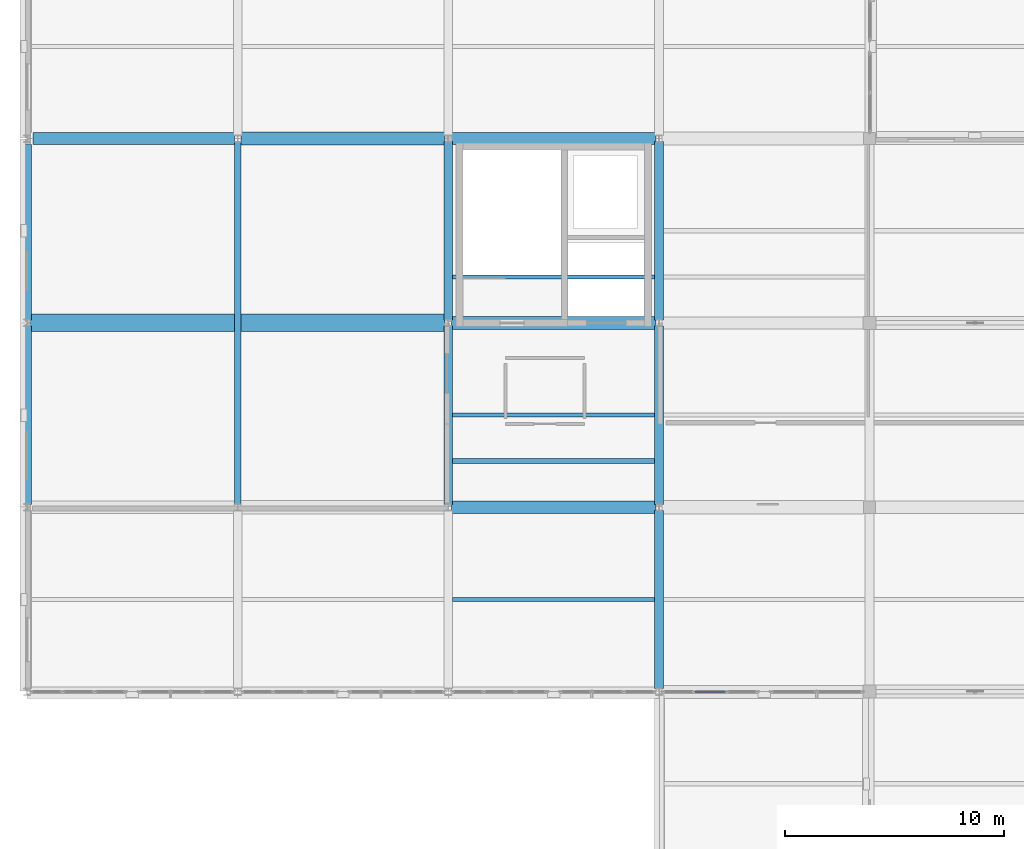
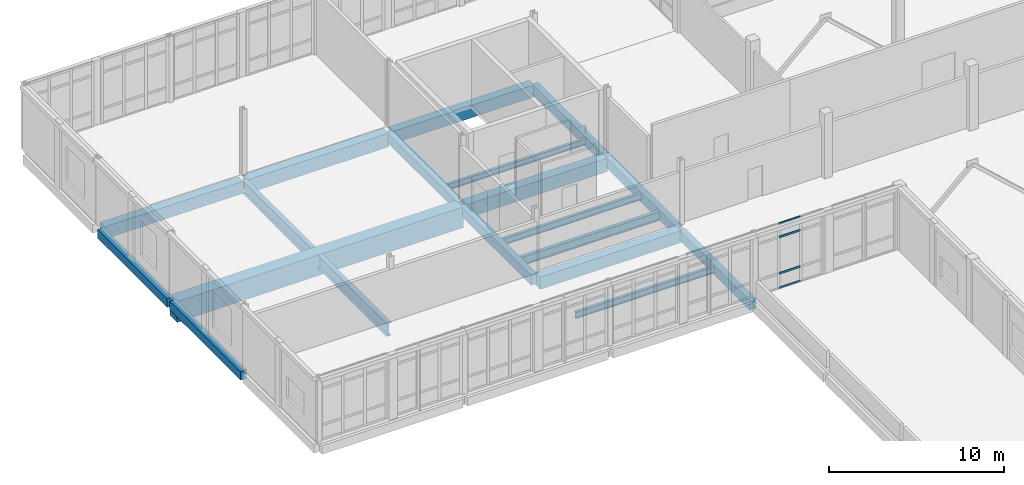
# One storey, part 45 of 88: 18 beams, 4 members, 1 element without a shape of its own.
"""IFC4 building model written with IfcOpenShell, lengths in metres."""

from ifc_helpers import new_model, si_unit, direction, frame, origin, origin_2d, place, context, subcontext, project, spatial, rectangle, hollow_rectangle, i_section, extrude, material, layer, layer_set, material_profile, profile_set, type_object, element, aggregate, save


model = new_model("IFC4")

# Units and contexts
model_context = context("Model", 3, precision=1e-05, world=origin(), true_north=direction((0.0, 1.0)))
body_context = subcontext(model_context, "Body", "Model", "MODEL_VIEW")
ifc_project = project(units=[si_unit("LENGTHUNIT", "METRE"), si_unit("AREAUNIT", "SQUARE_METRE"), si_unit("VOLUMEUNIT", "CUBIC_METRE"), si_unit("PLANEANGLEUNIT", "RADIAN"), si_unit("MASSUNIT", "GRAM", prefix="KILO")], contexts=[model_context])

# Site, building, storey
site_placement = place(None, origin())
site = spatial("IfcSite", under=ifc_project, at=site_placement, CompositionType="ELEMENT")
building_placement = place(site_placement, origin())
building = spatial("IfcBuilding", under=site, at=building_placement, Name="Lornevale Opera House", CompositionType="ELEMENT")
storey_placement = place(building_placement, frame((0.0, 0.0, 10.199951171875)))
storey = spatial("IfcBuildingStorey", under=building, at=storey_placement, Name="L03", CompositionType="ELEMENT", Elevation=10.199951171875)

# Beams
ifc_material_1 = material(Name="Concrete 35 MPa (CSA A23.1 N)", Category="concrete")
ifc_material_profile_1 = material_profile(ifc_material_1, rectangle(XDim=0.39990234375, YDim=0.699951171875, at=origin_2d()), Name="RC400x700")
ifc_profile_set_1 = profile_set([ifc_material_profile_1], Name="Concrete 35 MPa (CSA A23.1 N)")
beam_type_1 = type_object("IfcBeamType", Name="Concrete Floor Beam 400x700", PredefinedType="USERDEFINED", material=ifc_profile_set_1)
for number, where, z_axis, x_axis, name in (
    (1, (19.199951171875, 75.737548828125, -0.6298828125), (0.0, 1.0, 0.0), (-1.0, 0.0, 0.0), "Concrete Floor Beam 400x700 2242"),
    (2, (19.199951171875, 84.137451171875, -0.6298828125), (0.0, 1.0, 0.0), (-1.0, 0.0, 0.0), "Concrete Floor Beam 400x700 2243"),
    (3, (28.800048828125, 67.33740234375, -0.639892578125), (0.0, 1.0, 0.0), (-1.0, 0.0, 0.0), "Concrete Floor Beam 400x700 2253"),
    (4, (28.800048828125, 75.737548828125, -0.6298828125), (0.0, 1.0, 0.0), (-1.0, 0.0, 0.0), "Concrete Floor Beam 400x700 2254"),
    (5, (28.800048828125, 84.137451171875, -0.6298828125), (0.0, 1.0, 0.0), (-1.0, 0.0, 0.0), "Concrete Floor Beam 400x700 2255"),
):
    element("IfcBeam", number, at=place(storey_placement, frame(where, z_axis=z_axis, x_axis=x_axis)), inside=storey, type_object=beam_type_1, Name=name, ObjectType="GIRDER", PredefinedType="USERDEFINED", context=body_context, shape_type="SweptSolid", body=[
        extrude(rectangle(XDim=0.39990234375, YDim=0.699951171875, at=origin_2d()), origin(), (0.0, 0.0, 1.0), 8.125),
    ])
ifc_material_profile_2 = material_profile(ifc_material_1, rectangle(XDim=0.550048828125, YDim=0.85009765625, at=origin_2d()), Name="RC550x850")
ifc_profile_set_2 = profile_set([ifc_material_profile_2], Name="Concrete 35 MPa (CSA A23.1 N)")
beam_type_2 = type_object("IfcBeamType", Name="Concrete Primary Girder 550x850", PredefinedType="USERDEFINED", material=ifc_profile_set_2)
beam_1_placement = place(storey_placement, frame((19.346923828125, 75.60009765625, -0.704833984375), z_axis=(1.0, 0.0, 0.0), x_axis=(0.0, 1.0, 0.0)))
element("IfcBeam", 6, at=beam_1_placement, inside=storey, type_object=beam_type_2, Name="Concrete Primary Girder 550x850 2180", ObjectType="GIRDER", PredefinedType="USERDEFINED", context=body_context, shape_type="SweptSolid", body=[
    extrude(rectangle(XDim=0.550048828125, YDim=0.85009765625, at=origin_2d()), origin(), (0.0, 0.0, 1.0), 9.30615234375),
])
beam_2_placement = place(storey_placement, frame((0.27490234375, 92.39990234375, -0.704833984375), z_axis=(1.0, 0.0, 0.0), x_axis=(0.0, 1.0, 0.0)))
element("IfcBeam", 7, at=beam_2_placement, inside=storey, type_object=beam_type_2, Name="Concrete Primary Girder 550x850 2201", ObjectType="GIRDER", PredefinedType="USERDEFINED", context=body_context, shape_type="SweptSolid", body=[
    extrude(rectangle(XDim=0.550048828125, YDim=0.85009765625, at=origin_2d()), origin(), (0.0, 0.0, 1.0), 9.177978515625),
])
beam_3_placement = place(storey_placement, frame((19.346923828125, 92.39990234375, -0.704833984375), z_axis=(1.0, 0.0, 0.0), x_axis=(0.0, 1.0, 0.0)))
element("IfcBeam", 8, at=beam_3_placement, inside=storey, type_object=beam_type_2, Name="Concrete Primary Girder 550x850 2203", ObjectType="GIRDER", PredefinedType="USERDEFINED", context=body_context, shape_type="SweptSolid", body=[
    extrude(rectangle(XDim=0.550048828125, YDim=0.85009765625, at=origin_2d()), origin(), (0.0, 0.0, 1.0), 9.30615234375),
])
ifc_material_profile_3 = material_profile(ifc_material_1, rectangle(XDim=0.60009765625, YDim=0.949951171875, at=origin_2d()), Name="RC600x950")
ifc_profile_set_3 = profile_set([ifc_material_profile_3], Name="Concrete 35 MPa (CSA A23.1 N)")
beam_type_3 = type_object("IfcBeamType", Name="Concrete Primary Girder 600x950", PredefinedType="USERDEFINED", material=ifc_profile_set_3)
beam_4_placement = place(storey_placement, frame((19.346923828125, 84.0, -0.7548828125), z_axis=(1.0, 0.0, 0.0), x_axis=(0.0, 1.0, 0.0)))
element("IfcBeam", 9, at=beam_4_placement, inside=storey, type_object=beam_type_3, Name="Concrete Primary Girder 600x950 2190", ObjectType="GIRDER", PredefinedType="USERDEFINED", context=body_context, shape_type="SweptSolid", body=[
    extrude(rectangle(XDim=0.60009765625, YDim=0.949951171875, at=origin_2d()), origin(), (0.0, 0.0, 1.0), 9.30615234375),
])
beam_5_placement = place(storey_placement, frame((9.7470703125, 92.39990234375, -0.7548828125), z_axis=(1.0, 0.0, 0.0), x_axis=(0.0, 1.0, 0.0)))
element("IfcBeam", 10, at=beam_5_placement, inside=storey, type_object=beam_type_3, Name="Concrete Primary Girder 600x950 2202", ObjectType="GIRDER", PredefinedType="USERDEFINED", context=body_context, shape_type="SweptSolid", body=[
    extrude(rectangle(XDim=0.60009765625, YDim=0.949951171875, at=origin_2d()), origin(), (0.0, 0.0, 1.0), 9.305908203125),
])
ifc_material_profile_4 = material_profile(ifc_material_1, rectangle(XDim=0.39990234375, YDim=0.60009765625, at=origin_2d()), Name="RC400x600")
ifc_profile_set_4 = profile_set([ifc_material_profile_4], Name="Concrete 35 MPa (CSA A23.1 N)")
beam_type_4 = type_object("IfcBeamType", Name="Concrete Spandrel Beam 400x600", PredefinedType="SPANDREL", material=ifc_profile_set_4)
beam_6_placement = place(storey_placement, frame((0.0, 75.737548828125, -0.579833984375), z_axis=(0.0, 1.0, 0.0), x_axis=(-1.0, 0.0, 0.0)))
element("IfcBeam", 11, at=beam_6_placement, inside=storey, type_object=beam_type_4, Name="Concrete Spandrel Beam 400x600 2230", PredefinedType="SPANDREL", context=body_context, shape_type="SweptSolid", body=[
    extrude(rectangle(XDim=0.39990234375, YDim=0.60009765625, at=origin_2d()), origin(), (0.0, 0.0, 1.0), 8.125),
])
beam_7_placement = place(storey_placement, frame((0.0, 84.137451171875, -0.579833984375), z_axis=(0.0, 1.0, 0.0), x_axis=(-1.0, 0.0, 0.0)))
element("IfcBeam", 12, at=beam_7_placement, inside=storey, type_object=beam_type_4, Name="Concrete Spandrel Beam 400x600 2231", PredefinedType="SPANDREL", context=body_context, shape_type="SweptSolid", body=[
    extrude(rectangle(XDim=0.39990234375, YDim=0.60009765625, at=origin_2d()), origin(), (0.0, 0.0, 1.0), 7.987548828125),
])
ifc_material_2 = material(Name="Concrete 40 MPa (CSA A23.1 C-1)", Category="concrete")
ifc_material_profile_5 = material_profile(ifc_material_2, rectangle(XDim=0.800048828125, YDim=1.449951171875, at=origin_2d()), Name="RC800x1450")
ifc_profile_set_5 = profile_set([ifc_material_profile_5], Name="Concrete 40 MPa (CSA A23.1 C-1)")
beam_type_5 = type_object("IfcBeamType", Name="Concrete Transfer Girder 800x1450", PredefinedType="USERDEFINED", material=ifc_profile_set_5)
beam_8_placement = place(storey_placement, frame((0.14697265625, 84.0, -1.0048828125), z_axis=(1.0, 0.0, 0.0), x_axis=(0.0, 1.0, 0.0)))
element("IfcBeam", 13, at=beam_8_placement, inside=storey, type_object=beam_type_5, Name="Concrete Transfer Girder 800x1450 2189", ObjectType="TRANSFER GIRDER", PredefinedType="USERDEFINED", context=body_context, shape_type="SweptSolid", body=[
    extrude(rectangle(XDim=0.800048828125, YDim=1.449951171875, at=origin_2d()), origin(), (0.0, 0.0, 1.0), 18.906005859375),
])

# Curtain wall, members
ifc_material_3 = material(Name="Anodized Oxide-Green Aluminium Framing", Category="aluminium")
ifc_layer = layer(ifc_material_3, 0.175048828125)
ifc_layer_set = layer_set([ifc_layer], Name="Anodized Oxide-Green Aluminium Framing")
curtain_wall_type = type_object("IfcCurtainWallType", Name="Chamber Cloister Curtain Wall M1700", PredefinedType="NOTDEFINED", material=ifc_layer_set)
curtain_wall_placement = place(storey_placement, origin())
curtain_wall = element("IfcCurtainWall", 14, at=curtain_wall_placement, inside=storey, type_object=curtain_wall_type, Name="Chamber Cloister Curtain Wall M1700 CW-125", PredefinedType="NOTDEFINED")
ifc_material_profile_6 = material_profile(ifc_material_3, hollow_rectangle(XDim=0.06494140625, YDim=0.135009765625, WallThickness=0.00390625, at=origin_2d()), Name="ALU65x135x4")
ifc_profile_set_6 = profile_set([ifc_material_profile_6], Name="Anodized Oxide-Green Aluminium Framing")
member_type = type_object("IfcMemberType", Name="Curtain Wall Transom 65x135", PredefinedType="USERDEFINED", material=ifc_profile_set_6)
member_1_placement = place(storey_placement, frame((31.8310546875, 67.199951171875, 0.032470703125), z_axis=(-1.0, 0.0, 0.0), x_axis=(0.0, -1.0, 0.0)))
member_1 = element("IfcMember", 15, at=member_1_placement, type_object=member_type, Name="Curtain Wall Transom 65x135 CW2600", ObjectType="TRANSOM", PredefinedType="USERDEFINED", context=body_context, shape_type="SweptSolid", body=[
    extrude(hollow_rectangle(XDim=0.06494140625, YDim=0.135009765625, WallThickness=0.00390625, at=origin_2d()), origin(), (0.0, 0.0, 1.0), 1.3916015625),
])
member_2_placement = place(storey_placement, frame((31.8310546875, 67.199951171875, 1.050048828125), z_axis=(-1.0, 0.0, 0.0), x_axis=(0.0, -1.0, 0.0)))
member_2 = element("IfcMember", 16, at=member_2_placement, type_object=member_type, Name="Curtain Wall Transom 65x135 CW2601", ObjectType="TRANSOM", PredefinedType="USERDEFINED", context=body_context, shape_type="SweptSolid", body=[
    extrude(hollow_rectangle(XDim=0.06494140625, YDim=0.135009765625, WallThickness=0.00390625, at=origin_2d()), origin(), (0.0, 0.0, 1.0), 1.3916015625),
])
member_3_placement = place(storey_placement, frame((31.8310546875, 67.199951171875, 3.590087890625), z_axis=(-1.0, 0.0, 0.0), x_axis=(0.0, -1.0, 0.0)))
member_3 = element("IfcMember", 17, at=member_3_placement, type_object=member_type, Name="Curtain Wall Transom 65x135 CW2602", ObjectType="TRANSOM", PredefinedType="USERDEFINED", context=body_context, shape_type="SweptSolid", body=[
    extrude(hollow_rectangle(XDim=0.06494140625, YDim=0.135009765625, WallThickness=0.00390625, at=origin_2d()), origin(), (0.0, 0.0, 1.0), 1.3916015625),
])
member_4_placement = place(storey_placement, frame((31.8310546875, 67.199951171875, 4.507568359375), z_axis=(-1.0, 0.0, 0.0), x_axis=(0.0, -1.0, 0.0)))
member_4 = element("IfcMember", 18, at=member_4_placement, type_object=member_type, Name="Curtain Wall Transom 65x135 CW2603", ObjectType="TRANSOM", PredefinedType="USERDEFINED", context=body_context, shape_type="SweptSolid", body=[
    extrude(hollow_rectangle(XDim=0.06494140625, YDim=0.135009765625, WallThickness=0.00390625, at=origin_2d()), origin(), (0.0, 0.0, 1.0), 1.3916015625),
])
aggregate(curtain_wall, [member_1, member_2, member_3, member_4])

# Beams
ifc_material_4 = material(Name="Structural Steel CSA G40.21 Grade 350W (350 MPa)", Category="steel")
ifc_material_profile_7 = material_profile(ifc_material_4, i_section(OverallWidth=0.22998046875, OverallDepth=0.616943359375, WebThickness=0.01318359375, FlangeThickness=0.022216796875, at=origin_2d()), Name="W610x140")
ifc_profile_set_7 = profile_set([ifc_material_profile_7], Name="Structural Steel CSA G40.21 Grade 350W (350 MPa)")
beam_type_6 = type_object("IfcBeamType", Name="Rehearsal Roof Beam W610x140", PredefinedType="USERDEFINED", material=ifc_profile_set_7)
beam_9_placement = place(storey_placement, frame((19.25, 77.699951171875, -0.599853515625), z_axis=(1.0, 0.0, 0.0), x_axis=(0.0, 1.0, 0.0)))
element("IfcBeam", 19, at=beam_9_placement, inside=storey, type_object=beam_type_6, Name="Rehearsal Roof Beam W610x140 3046", ObjectType="GIRDER", PredefinedType="USERDEFINED", context=body_context, shape_type="SweptSolid", body=[
    extrude(i_section(OverallWidth=0.22998046875, OverallDepth=0.616943359375, WebThickness=0.01318359375, FlangeThickness=0.022216796875, at=origin_2d()), origin(), (0.0, 0.0, 1.0), 9.5),
])
ifc_material_profile_8 = material_profile(ifc_material_4, i_section(OverallWidth=0.19189453125, OverallDepth=0.462890625, WebThickness=0.010498046875, FlangeThickness=0.017578125, at=origin_2d()), Name="W460x89")
ifc_profile_set_8 = profile_set([ifc_material_profile_8], Name="Structural Steel CSA G40.21 Grade 350W (350 MPa)")
beam_type_7 = type_object("IfcBeamType", Name="Steel Floor Joist W460x89", PredefinedType="JOIST", material=ifc_profile_set_8)
for number, where, z_axis, x_axis, name in (
    (20, (19.39990234375, 71.39990234375, -0.536376953125), (1.0, 0.0, 0.0), (0.0, 1.0, 0.0), "Steel Floor Joist W460x89 2374"),
    (21, (19.39990234375, 79.800048828125, -0.5263671875), (1.0, 0.0, 0.0), (0.0, 1.0, 0.0), "Steel Floor Joist W460x89 2375"),
):
    element("IfcBeam", number, at=place(storey_placement, frame(where, z_axis=z_axis, x_axis=x_axis)), inside=storey, type_object=beam_type_7, Name=name, PredefinedType="JOIST", context=body_context, shape_type="SweptSolid", body=[
        extrude(i_section(OverallWidth=0.19189453125, OverallDepth=0.462890625, WebThickness=0.010498046875, FlangeThickness=0.017578125, at=origin_2d()), origin(), (0.0, 0.0, 1.0), 9.2001953125),
    ])
ifc_material_profile_9 = material_profile(ifc_material_4, i_section(OverallWidth=0.305908203125, OverallDepth=0.9189453125, WebThickness=0.017333984375, FlangeThickness=0.02783203125, at=origin_2d()), Name="W920x253")
ifc_profile_set_9 = profile_set([ifc_material_profile_9], Name="Structural Steel CSA G40.21 Grade 350W (350 MPa)")
beam_type_8 = type_object("IfcBeamType", Name="Steel Stagehouse Girder W920x253", PredefinedType="USERDEFINED", material=ifc_profile_set_9)
beam_10_placement = place(storey_placement, frame((9.60009765625, 75.737548828125, -0.75439453125), z_axis=(0.0, 1.0, 0.0), x_axis=(-1.0, 0.0, 0.0)))
element("IfcBeam", 22, at=beam_10_placement, inside=storey, type_object=beam_type_8, Name="Steel Stagehouse Girder W920x253 2236", ObjectType="GIRDER", PredefinedType="USERDEFINED", context=body_context, shape_type="SweptSolid", body=[
    extrude(i_section(OverallWidth=0.305908203125, OverallDepth=0.9189453125, WebThickness=0.017333984375, FlangeThickness=0.02783203125, at=origin_2d()), origin(), (0.0, 0.0, 1.0), 16.52490234375),
])
ifc_material_profile_10 = material_profile(ifc_material_4, i_section(OverallWidth=0.179931640625, OverallDepth=0.4130859375, WebThickness=0.009765625, FlangeThickness=0.01611328125, at=origin_2d()), Name="W410x74")
ifc_profile_set_10 = profile_set([ifc_material_profile_10], Name="Structural Steel CSA G40.21 Grade 350W (350 MPa)")
beam_type_9 = type_object("IfcBeamType", Name="Studio Gallery Beam W410x74", PredefinedType="JOIST", material=ifc_profile_set_10)
beam_11_placement = place(storey_placement, frame((19.25, 86.10009765625, -0.52001953125), z_axis=(1.0, 0.0, 0.0), x_axis=(0.0, 1.0, 0.0)))
element("IfcBeam", 23, at=beam_11_placement, inside=storey, type_object=beam_type_9, Name="Studio Gallery Beam W410x74 3048", PredefinedType="JOIST", context=body_context, shape_type="SweptSolid", body=[
    extrude(i_section(OverallWidth=0.179931640625, OverallDepth=0.4130859375, WebThickness=0.009765625, FlangeThickness=0.01611328125, at=origin_2d()), origin(), (0.0, 0.0, 1.0), 9.35009765625),
])

save(model, "model.ifc")
